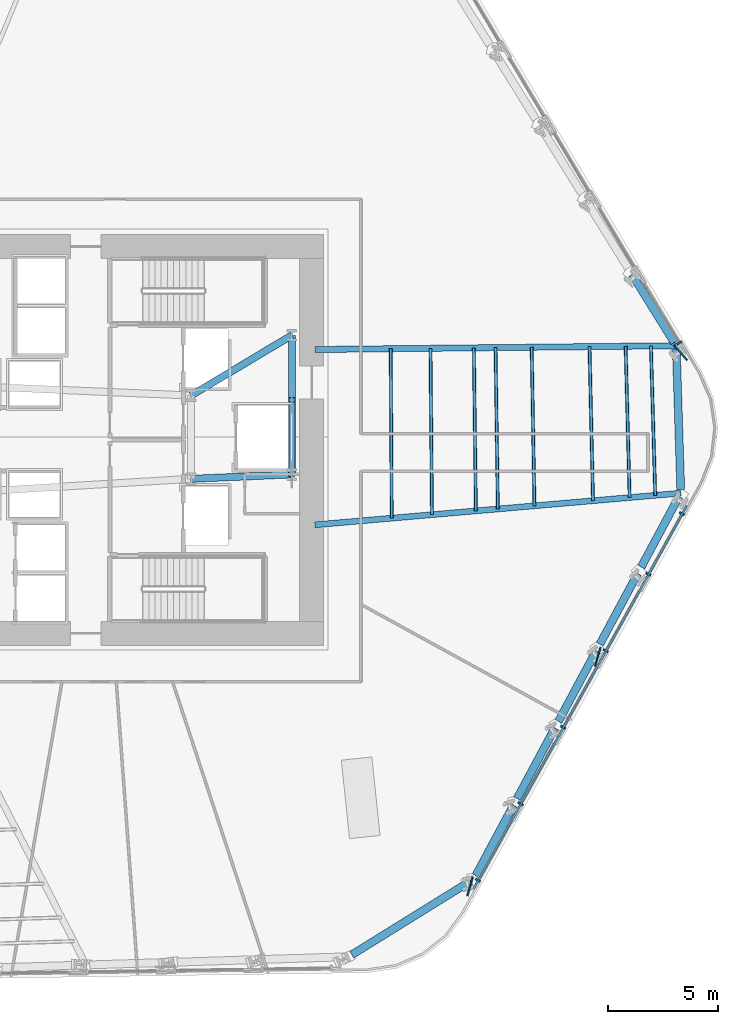
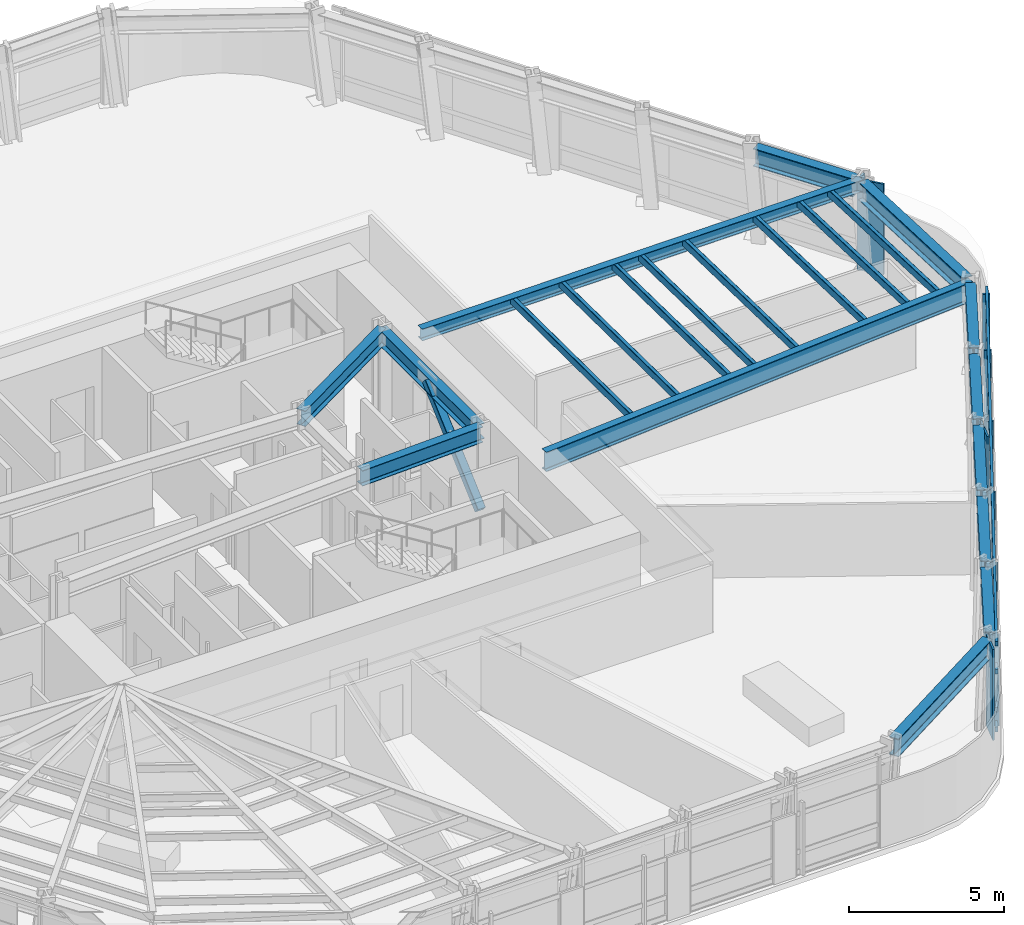
# One storey, part 4 of 15: 23 members, 13 beams, 2 elements without a shape of their own.
"""IFC4 building model written with IfcOpenShell, lengths in metres."""

import ifcopenshell
import ifcopenshell.guid

model = None  # the IFC model being written
_history = None  # IfcOwnerHistory: only IFC2X3 demands one
_inside = {}  # id of a spatial element -> (the spatial element, [elements in it])
_under = {}  # id of a project, library or spatial element -> (it, [spatial elements below it])
_declared = {}  # id of a project -> (the project, [libraries it declares])
_typed = {}  # id of a type object -> (the type object, [elements of that type])
_made_of = {}  # id of a material, layer set ... -> (it, [elements and type objects made of it])


def new_model(schema):
    """Start an empty IFC model of exactly this schema.

    Asked for "IFC4X3", IfcOpenShell would pick the latest addendum, in which some entities
    have other attributes; the version numbers below select the first issue.
    IFC2X3 requires an IfcOwnerHistory on every rooted entity: one is made here for all.
    """
    global model, _history
    if schema == "IFC4X3":
        model = ifcopenshell.file(schema_version=(4, 3, 0, 0))
    else:
        model = ifcopenshell.file(schema=schema)
    _inside.clear()
    _under.clear()
    _declared.clear()
    _typed.clear()
    _made_of.clear()
    _history = None
    if model.schema == "IFC2X3":
        org = make("IfcOrganization", Name="unknown")
        user = make(
            "IfcPersonAndOrganization",
            ThePerson=make("IfcPerson", FamilyName="unknown"),
            TheOrganization=org,
        )
        app = make(
            "IfcApplication",
            ApplicationDeveloper=org,
            Version="unknown",
            ApplicationFullName="unknown",
            ApplicationIdentifier="unknown",
        )
        _history = make(
            "IfcOwnerHistory",
            OwningUser=user,
            OwningApplication=app,
            ChangeAction="ADDED",
            CreationDate=0,
        )
    return model


def make(cls, **values):
    """One entity of the class cls with the attributes given. An attribute that is None is left unset."""
    return model.create_entity(
        cls, **{name: value for name, value in values.items() if value is not None}
    )


def rooted(cls, **values):
    """An entity with a GlobalId (a new one), such as an element, a storey or a relation."""
    return make(cls, GlobalId=ifcopenshell.guid.new(), OwnerHistory=_history, **values)


def si_unit(unit_type, name, prefix=None):
    """IfcSIUnit, for example si_unit("LENGTHUNIT", "METRE", prefix="MILLI")."""
    return make("IfcSIUnit", UnitType=unit_type, Prefix=prefix, Name=name)


def assignment(units):
    """IfcUnitAssignment: the units of a project."""
    return None if units is None else make("IfcUnitAssignment", Units=units)


def point(xyz):
    """IfcCartesianPoint."""
    return None if xyz is None else make("IfcCartesianPoint", Coordinates=xyz)


def direction(xyz):
    """IfcDirection."""
    return None if xyz is None else make("IfcDirection", DirectionRatios=xyz)


def frame(location, z_axis=None, x_axis=None):
    """IfcAxis2Placement3D, a coordinate frame: its origin and axes. An axis left out is left unset."""
    return make(
        "IfcAxis2Placement3D",
        Location=point(location),
        Axis=direction(z_axis),
        RefDirection=direction(x_axis),
    )


def frame_2d(location, x_axis=None):
    """IfcAxis2Placement2D, a coordinate frame in the plane: its origin and x axis."""
    return make(
        "IfcAxis2Placement2D", Location=point(location), RefDirection=direction(x_axis)
    )


def origin():
    """The frame at (0, 0, 0) with its axes left unset."""
    return frame((0.0, 0.0, 0.0))


def origin_2d():
    """The frame at (0, 0) in the plane with its x axis left unset."""
    return frame_2d((0.0, 0.0))


def place(relative_to, where):
    """IfcLocalPlacement: puts the frame where relative to a parent placement (None: the world)."""
    return make(
        "IfcLocalPlacement", PlacementRelTo=relative_to, RelativePlacement=where
    )


def context(
    kind, dimensions, precision=None, world=None, true_north=None, identifier=None
):
    """IfcGeometricRepresentationContext, for example the 3D "Model" context."""
    return make(
        "IfcGeometricRepresentationContext",
        ContextIdentifier=identifier,
        ContextType=kind,
        CoordinateSpaceDimension=dimensions,
        Precision=precision,
        WorldCoordinateSystem=world,
        TrueNorth=true_north,
    )


def subcontext(parent, identifier, kind, view, scale=None):
    """IfcGeometricRepresentationSubContext, for example "Body" below "Model"."""
    return make(
        "IfcGeometricRepresentationSubContext",
        ContextIdentifier=identifier,
        ContextType=kind,
        ParentContext=parent,
        TargetScale=scale,
        TargetView=view,
    )


def project(units=None, contexts=None):
    """IfcProject with its units and contexts."""
    return rooted(
        "IfcProject",
        Name="project",
        RepresentationContexts=contexts,
        UnitsInContext=assignment(units),
    )


def spatial(cls, under=None, at=None, **own):
    """A site, building, storey or space (cls), placed at a placement, below another one or the project."""
    s = rooted(cls, ObjectPlacement=at, **own)
    if under is not None:
        _under.setdefault(under.id(), (under, []))[1].append(s)
    return s


def profile(cls, at=None, kind="AREA", **sizes):
    """A parametric profile (cls). Its sizes go by their IFC names, for example OverallWidth=200.0."""
    return make(cls, ProfileType=kind, Position=at, **sizes)


def rectangle(**sizes):
    """IfcRectangleProfileDef."""
    return profile("IfcRectangleProfileDef", **sizes)


def hollow_rectangle(**sizes):
    """IfcRectangleHollowProfileDef."""
    return profile("IfcRectangleHollowProfileDef", **sizes)


def i_section(**sizes):
    """IfcIShapeProfileDef."""
    return profile("IfcIShapeProfileDef", **sizes)


def extrude(swept, where, along, depth):
    """IfcExtrudedAreaSolid: the profile swept, set in the frame where, extruded along a direction by depth."""
    return make(
        "IfcExtrudedAreaSolid",
        SweptArea=swept,
        Position=where,
        ExtrudedDirection=direction(along),
        Depth=depth,
    )


def shape(context_of_items, identifier, shape_type, items):
    """IfcShapeRepresentation: the items that make up one representation, for example the "Body"."""
    return make(
        "IfcShapeRepresentation",
        ContextOfItems=context_of_items,
        RepresentationIdentifier=identifier,
        RepresentationType=shape_type,
        Items=items,
    )


def material(Name=None, Category=None):
    """IfcMaterial."""
    return make("IfcMaterial", Name=Name, Category=Category)


def layer(
    of_material, thickness, ventilated=None, Name=None, Category=None, Priority=None
):
    """IfcMaterialLayer: one layer of a wall or slab, of a material (None: an air gap)."""
    return make(
        "IfcMaterialLayer",
        Material=of_material,
        LayerThickness=thickness,
        IsVentilated=ventilated,
        Name=Name,
        Category=Category,
        Priority=Priority,
    )


def layer_set(layers, Name=None):
    """IfcMaterialLayerSet."""
    return make("IfcMaterialLayerSet", MaterialLayers=layers, LayerSetName=Name)


def material_profile(
    of_material, cross_section, Name=None, Category=None, Priority=None
):
    """IfcMaterialProfile: a cross section and its material."""
    return make(
        "IfcMaterialProfile",
        Name=Name,
        Material=of_material,
        Profile=cross_section,
        Priority=Priority,
        Category=Category,
    )


def profile_set(profiles, Name=None, composite=None):
    """IfcMaterialProfileSet."""
    return make(
        "IfcMaterialProfileSet",
        Name=Name,
        MaterialProfiles=profiles,
        CompositeProfile=composite,
    )


def made_of(thing, what):
    """Note that an element or type object is made of a material, layer set ...; save() writes the relation."""
    if what is not None:
        _made_of.setdefault(what.id(), (what, []))[1].append(thing)
    return thing


def type_object(cls, material=None, **own):
    """A type object (cls), such as IfcWallType, which elements share."""
    return made_of(rooted(cls, **own), material)


def element(
    cls,
    number,
    at=None,
    inside=None,
    cuts=None,
    type_object=None,
    material=None,
    context=None,
    identifier="Body",
    shape_type=None,
    held_by="IfcProductDefinitionShape",
    body=None,
    shapes=None,
    **own,
):
    """One element of the class cls, such as IfcWall. Its Tag is "e" and its number.

    at: its placement. inside: the storey or other place that contains it. cuts: it is an
    opening in that element (IfcRelVoidsElement). A single representation is given by context,
    identifier, shape_type and body (its items); several are given by shapes. held_by: the class
    of the entity that holds the representations. save() writes the other relations.
    """
    e = rooted(cls, Tag="e%d" % number, ObjectPlacement=at, **own)
    if body is not None:
        shapes = [shape(context, identifier, shape_type, body)]
    if shapes is not None:
        e.Representation = make(held_by, Representations=shapes)
    if inside is not None:
        _inside.setdefault(inside.id(), (inside, []))[1].append(e)
    if cuts is not None:
        rooted(
            "IfcRelVoidsElement", RelatingBuildingElement=cuts, RelatedOpeningElement=e
        )
    if type_object is not None:
        _typed.setdefault(type_object.id(), (type_object, []))[1].append(e)
    return made_of(e, material)


def aggregate(whole, parts):
    """IfcRelAggregates: a whole, such as a stair, and the parts it consists of."""
    return rooted("IfcRelAggregates", RelatingObject=whole, RelatedObjects=parts)


def save(model, path):
    """Write the relations noted so far, then the file.

    IfcRelAggregates (storeys below a building ...), IfcRelContainedInSpatialStructure (elements
    in a storey), IfcRelDefinesByType, IfcRelAssociatesMaterial and IfcRelDeclares: one each for
    every whole, place, type object, material and project.
    """
    for whole, parts in _under.values():
        aggregate(whole, parts)
    for where, things in _inside.values():
        rooted(
            "IfcRelContainedInSpatialStructure",
            RelatedElements=things,
            RelatingStructure=where,
        )
    for kind, things in _typed.values():
        rooted("IfcRelDefinesByType", RelatedObjects=things, RelatingType=kind)
    for what, things in _made_of.values():
        rooted("IfcRelAssociatesMaterial", RelatedObjects=things, RelatingMaterial=what)
    for by, libraries in _declared.values():
        rooted("IfcRelDeclares", RelatingContext=by, RelatedDefinitions=libraries)
    model.write(path)


model = new_model("IFC4")

# Units and contexts
model_context = context("Model", 3, precision=1e-05, world=origin(), true_north=direction((0.0, 1.0)))
body_context = subcontext(model_context, "Body", "Model", "MODEL_VIEW")
ifc_project = project(units=[si_unit("LENGTHUNIT", "METRE"), si_unit("AREAUNIT", "SQUARE_METRE"), si_unit("VOLUMEUNIT", "CUBIC_METRE"), si_unit("PLANEANGLEUNIT", "RADIAN"), si_unit("MASSUNIT", "GRAM", prefix="KILO")], contexts=[model_context])

# Site, building, storey
site_placement = place(None, origin())
site = spatial("IfcSite", under=ifc_project, at=site_placement, CompositionType="ELEMENT")
building_placement = place(site_placement, origin())
building = spatial("IfcBuilding", under=site, at=building_placement, Name="Valkerne Bourse Tower", CompositionType="ELEMENT")
storey_placement = place(building_placement, frame((0.0, 0.0, 27.800048828125)))
storey = spatial("IfcBuildingStorey", under=building, at=storey_placement, Name="L06", CompositionType="ELEMENT", Elevation=27.800048828125)

# Beams
ifc_material_1 = material(Name="Steel ASTM A992", Category="steel")
ifc_material_profile_1 = material_profile(ifc_material_1, i_section(OverallWidth=0.279296875, OverallDepth=0.46240234375, WebThickness=0.0107421875, FlangeThickness=0.017333984375, FilletRadius=0.017822265625, at=origin_2d()), Name="W18X76")
ifc_profile_set_1 = profile_set([ifc_material_profile_1], Name="Steel ASTM A992")
beam_type_1 = type_object("IfcBeamType", Name="BM-W18X76", PredefinedType="BEAM", material=ifc_profile_set_1)
beam_1_placement = place(storey_placement, frame((72.489013671875, 31.173583984375, 3.3486328125), z_axis=(-0.999944593099, -0.010526667639, 0.0), x_axis=(0.010526667639, -0.999944593099, 0.0)))
element("IfcBeam", 1, at=beam_1_placement, inside=storey, type_object=beam_type_1, Name="L06 Radial Composite Floor Beam 00", PredefinedType="BEAM", context=body_context, shape_type="SweptSolid", body=[
    extrude(i_section(OverallWidth=0.279296875, OverallDepth=0.46240234375, WebThickness=0.0107421875, FlangeThickness=0.017333984375, FilletRadius=0.017822265625, at=origin_2d()), origin(), (0.0, 0.0, 1.0), 16.489990234375),
])
ifc_material_profile_2 = material_profile(ifc_material_1, i_section(OverallWidth=0.3251953125, OverallDepth=0.612060546875, WebThickness=0.0126953125, FlangeThickness=0.01904296875, FilletRadius=0.020263671875, at=origin_2d()), Name="W24X104")
ifc_profile_set_2 = profile_set([ifc_material_profile_2], Name="Steel ASTM A992")
beam_type_2 = type_object("IfcBeamType", Name="BM-W24X104", PredefinedType="BEAM", material=ifc_profile_set_2)
beam_2_placement = place(storey_placement, frame((50.35009765625, 25.10009765625, 3.27392578125), z_axis=(0.999056558506, 0.043428019819, 0.0), x_axis=(-0.043428019819, 0.999056558506, 0.0)))
element("IfcBeam", 2, at=beam_2_placement, inside=storey, type_object=beam_type_2, Name="L06 Core Frame Girder CG-SE", PredefinedType="BEAM", context=body_context, shape_type="SweptSolid", body=[
    extrude(i_section(OverallWidth=0.3251953125, OverallDepth=0.612060546875, WebThickness=0.0126953125, FlangeThickness=0.01904296875, FilletRadius=0.020263671875, at=origin_2d()), origin(), (0.0, 0.0, 1.0), 4.604248046875),
])
beam_3_placement = place(storey_placement, frame((50.35009765625, 28.89990234375, 3.27392578125), z_axis=(0.858307823492, 0.513135148019, 0.0), x_axis=(-0.513135148019, 0.858307823492, 0.0)))
element("IfcBeam", 3, at=beam_3_placement, inside=storey, type_object=beam_type_2, Name="L06 Core Frame Girder CG-NE", PredefinedType="BEAM", context=body_context, shape_type="SweptSolid", body=[
    extrude(i_section(OverallWidth=0.3251953125, OverallDepth=0.612060546875, WebThickness=0.0126953125, FlangeThickness=0.01904296875, FilletRadius=0.020263671875, at=origin_2d()), origin(), (0.0, 0.0, 1.0), 5.359130859375),
])
beam_4_placement = place(storey_placement, frame((54.949951171875, 25.300048828125, 3.27392578125), z_axis=(0.0, 1.0, 0.0), x_axis=(-1.0, 0.0, 0.0)))
element("IfcBeam", 4, at=beam_4_placement, inside=storey, type_object=beam_type_2, Name="L06 Core Frame Girder CG-EE", PredefinedType="BEAM", context=body_context, shape_type="SweptSolid", body=[
    extrude(i_section(OverallWidth=0.3251953125, OverallDepth=0.612060546875, WebThickness=0.0126953125, FlangeThickness=0.01904296875, FilletRadius=0.020263671875, at=origin_2d()), origin(), (0.0, 0.0, 1.0), 6.349853515625),
])
ifc_material_profile_3 = material_profile(ifc_material_1, i_section(OverallWidth=0.358154296875, OverallDepth=0.7060546875, WebThickness=0.018310546875, FlangeThickness=0.0302734375, FilletRadius=0.02294921875, at=origin_2d()), Name="W27X178")
ifc_profile_set_3 = profile_set([ifc_material_profile_3], Name="Steel ASTM A992")
beam_type_3 = type_object("IfcBeamType", Name="BM-W27X178", PredefinedType="SPANDREL", material=ifc_profile_set_3)
beam_5_placement = place(storey_placement, frame((72.3994140625, 31.318115234375, 3.226806640625), z_axis=(-0.526952210347, 0.849894915864, 0.0), x_axis=(-0.849894915864, -0.526952210347, 0.0)))
element("IfcBeam", 5, at=beam_5_placement, inside=storey, type_object=beam_type_3, Name="L06 Hexagonal Spandrel Ring Beam 00", PredefinedType="SPANDREL", context=body_context, shape_type="SweptSolid", body=[
    extrude(i_section(OverallWidth=0.358154296875, OverallDepth=0.7060546875, WebThickness=0.018310546875, FlangeThickness=0.0302734375, FilletRadius=0.02294921875, at=origin_2d()), origin(), (0.0, 0.0, 1.0), 3.656005859375),
])
beam_6_placement = place(storey_placement, frame((57.684326171875, 3.383056640625, 3.226806640625), z_axis=(0.849903376231, 0.526938564798, 0.0), x_axis=(-0.526938564798, 0.849903376231, 0.0)))
element("IfcBeam", 6, at=beam_6_placement, inside=storey, type_object=beam_type_3, Name="L06 Hexagonal Spandrel Ring Beam 29", PredefinedType="SPANDREL", context=body_context, shape_type="SweptSolid", body=[
    extrude(i_section(OverallWidth=0.358154296875, OverallDepth=0.7060546875, WebThickness=0.018310546875, FlangeThickness=0.0302734375, FilletRadius=0.02294921875, at=origin_2d()), origin(), (0.0, 0.0, 1.0), 6.38916015625),
])
beam_7_placement = place(storey_placement, frame((63.339111328125, 6.989013671875, 3.226806640625), z_axis=(0.472566038193, 0.88129526241, 0.0), x_axis=(-0.88129526241, 0.472566038193, 0.0)))
element("IfcBeam", 7, at=beam_7_placement, inside=storey, type_object=beam_type_3, Name="L06 Hexagonal Spandrel Ring Beam 30", PredefinedType="SPANDREL", context=body_context, shape_type="SweptSolid", body=[
    extrude(i_section(OverallWidth=0.358154296875, OverallDepth=0.7060546875, WebThickness=0.018310546875, FlangeThickness=0.0302734375, FilletRadius=0.02294921875, at=origin_2d()), origin(), (0.0, 0.0, 1.0), 3.65625),
])
beam_8_placement = place(storey_placement, frame((65.2275390625, 10.5107421875, 3.226806640625), z_axis=(0.472514172912, 0.881323071522, 0.0), x_axis=(-0.881323071522, 0.472514172912, 0.0)))
element("IfcBeam", 8, at=beam_8_placement, inside=storey, type_object=beam_type_3, Name="L06 Hexagonal Spandrel Ring Beam 31", PredefinedType="SPANDREL", context=body_context, shape_type="SweptSolid", body=[
    extrude(i_section(OverallWidth=0.358154296875, OverallDepth=0.7060546875, WebThickness=0.018310546875, FlangeThickness=0.0302734375, FilletRadius=0.02294921875, at=origin_2d()), origin(), (0.0, 0.0, 1.0), 3.656005859375),
])
beam_9_placement = place(storey_placement, frame((67.11572265625, 14.032470703125, 3.226806640625), z_axis=(0.472566038193, 0.88129526241, 0.0), x_axis=(-0.88129526241, 0.472566038193, 0.0)))
element("IfcBeam", 9, at=beam_9_placement, inside=storey, type_object=beam_type_3, Name="L06 Hexagonal Spandrel Ring Beam 32", PredefinedType="SPANDREL", context=body_context, shape_type="SweptSolid", body=[
    extrude(i_section(OverallWidth=0.358154296875, OverallDepth=0.7060546875, WebThickness=0.018310546875, FlangeThickness=0.0302734375, FilletRadius=0.02294921875, at=origin_2d()), origin(), (0.0, 0.0, 1.0), 3.65625),
])
beam_10_placement = place(storey_placement, frame((69.004150390625, 17.55419921875, 3.226806640625), z_axis=(0.472514172912, 0.881323071522, 0.0), x_axis=(-0.881323071522, 0.472514172912, 0.0)))
element("IfcBeam", 10, at=beam_10_placement, inside=storey, type_object=beam_type_3, Name="L06 Hexagonal Spandrel Ring Beam 33", PredefinedType="SPANDREL", context=body_context, shape_type="SweptSolid", body=[
    extrude(i_section(OverallWidth=0.358154296875, OverallDepth=0.7060546875, WebThickness=0.018310546875, FlangeThickness=0.0302734375, FilletRadius=0.02294921875, at=origin_2d()), origin(), (0.0, 0.0, 1.0), 3.656005859375),
])
beam_11_placement = place(storey_placement, frame((70.892333984375, 21.075927734375, 3.226806640625), z_axis=(0.472566038193, 0.88129526241, 0.0), x_axis=(-0.88129526241, 0.472566038193, 0.0)))
element("IfcBeam", 11, at=beam_11_placement, inside=storey, type_object=beam_type_3, Name="L06 Hexagonal Spandrel Ring Beam 34", PredefinedType="SPANDREL", context=body_context, shape_type="SweptSolid", body=[
    extrude(i_section(OverallWidth=0.358154296875, OverallDepth=0.7060546875, WebThickness=0.018310546875, FlangeThickness=0.0302734375, FilletRadius=0.02294921875, at=origin_2d()), origin(), (0.0, 0.0, 1.0), 3.65625),
])
beam_12_placement = place(storey_placement, frame((72.695068359375, 24.61767578125, 3.226806640625), z_axis=(-0.031410116192, 0.999506580569, 0.0), x_axis=(-0.999506580569, -0.031410116192, 0.0)))
element("IfcBeam", 12, at=beam_12_placement, inside=storey, type_object=beam_type_3, Name="L06 Hexagonal Spandrel Ring Beam 35", PredefinedType="SPANDREL", context=body_context, shape_type="SweptSolid", body=[
    extrude(i_section(OverallWidth=0.358154296875, OverallDepth=0.7060546875, WebThickness=0.018310546875, FlangeThickness=0.0302734375, FilletRadius=0.02294921875, at=origin_2d()), origin(), (0.0, 0.0, 1.0), 6.38916015625),
])
ifc_material_profile_4 = material_profile(ifc_material_1, i_section(OverallWidth=0.26806640625, OverallDepth=0.76953125, WebThickness=0.015625, FlangeThickness=0.025390625, FilletRadius=0.025390625, at=origin_2d()), Name="W30X132")
ifc_profile_set_4 = profile_set([ifc_material_profile_4], Name="Steel ASTM A992")
beam_type_4 = type_object("IfcBeamType", Name="BM-W30X132", PredefinedType="BEAM", material=ifc_profile_set_4)
beam_13_placement = place(storey_placement, frame((72.700439453125, 24.44775390625, 3.195068359375), z_axis=(-0.996263506174, -0.086365654435, 0.0), x_axis=(0.086365654435, -0.996263506174, 0.0)))
element("IfcBeam", 13, at=beam_13_placement, inside=storey, type_object=beam_type_4, Name="L06 Radial Composite Floor Beam 35", PredefinedType="BEAM", context=body_context, shape_type="SweptSolid", body=[
    extrude(i_section(OverallWidth=0.26806640625, OverallDepth=0.76953125, WebThickness=0.015625, FlangeThickness=0.025390625, FilletRadius=0.025390625, at=origin_2d()), origin(), (0.0, 0.0, 1.0), 16.76318359375),
])

# Curtain wall, member
ifc_material_2 = material(Name="Aluminium AA 6063-T6", Category="aluminium")
ifc_layer = layer(ifc_material_2, 0.22509765625)
ifc_layer_set = layer_set([ifc_layer], Name="Aluminium AA 6063-T6")
curtain_wall_type = type_object("IfcCurtainWallType", Name="CW-01", PredefinedType="NOTDEFINED", material=ifc_layer_set)
curtain_wall_1_placement = place(storey_placement, origin())
curtain_wall_1 = element("IfcCurtainWall", 14, at=curtain_wall_1_placement, inside=storey, type_object=curtain_wall_type, Name="L06 Hexagonal Stick Curtain Wall Face 1", PredefinedType="NOTDEFINED")
ifc_material_profile_5 = material_profile(ifc_material_2, rectangle(XDim=0.090087890625, YDim=0.239990234375, at=origin_2d()), Name="CWM-90X240")
ifc_profile_set_5 = profile_set([ifc_material_profile_5], Name="Aluminium AA 6063-T6")
member_type_1 = type_object("IfcMemberType", Name="CW-MUL-240X90", PredefinedType="MULLION", material=ifc_profile_set_5)
member_1_placement = place(storey_placement, frame((72.627685546875, 31.304443359375, 0.0), z_axis=(0.0, 0.0, 1.0), x_axis=(-0.513542271598, 0.858064295541, 0.0)))
member_1 = element("IfcMember", 15, at=member_1_placement, type_object=member_type_1, Name="CW-L06-F1 Jamb Mullion 00A", PredefinedType="MULLION", context=body_context, shape_type="SweptSolid", body=[
    extrude(rectangle(XDim=0.090087890625, YDim=0.239990234375, at=origin_2d()), origin(), (0.0, 0.0, 1.0), 3.579833984375),
])
aggregate(curtain_wall_1, [member_1])

# Curtain wall, members
curtain_wall_2_placement = place(storey_placement, origin())
curtain_wall_2 = element("IfcCurtainWall", 16, at=curtain_wall_2_placement, inside=storey, type_object=curtain_wall_type, Name="L06 Hexagonal Stick Curtain Wall Face 6", PredefinedType="NOTDEFINED")
member_2_placement = place(storey_placement, frame((63.44140625, 6.784912109375, 0.0), z_axis=(0.0, 0.0, 1.0), x_axis=(0.486335451261, 0.873772183608, 0.0)))
member_2 = element("IfcMember", 17, at=member_2_placement, type_object=member_type_1, Name="CW-L06-F6 Jamb Mullion 00A", PredefinedType="MULLION", context=body_context, shape_type="SweptSolid", body=[
    extrude(rectangle(XDim=0.090087890625, YDim=0.239990234375, at=origin_2d()), origin(), (0.0, 0.0, 1.0), 3.579833984375),
])
member_3_placement = place(storey_placement, frame((65.385009765625, 10.276611328125, 0.0), z_axis=(0.0, 0.0, 1.0), x_axis=(0.486335451261, 0.873772183608, 0.0)))
member_3 = element("IfcMember", 18, at=member_3_placement, type_object=member_type_1, Name="CW-L06-F6 Jamb Mullion 01A", PredefinedType="MULLION", context=body_context, shape_type="SweptSolid", body=[
    extrude(rectangle(XDim=0.090087890625, YDim=0.239990234375, at=origin_2d()), origin(), (0.0, 0.0, 1.0), 3.579833984375),
])
member_4_placement = place(storey_placement, frame((67.328369140625, 13.76806640625, 0.0), z_axis=(0.0, 0.0, 1.0), x_axis=(0.486335451261, 0.873772183608, 0.0)))
member_4 = element("IfcMember", 19, at=member_4_placement, type_object=member_type_1, Name="CW-L06-F6 Jamb Mullion 02A", PredefinedType="MULLION", context=body_context, shape_type="SweptSolid", body=[
    extrude(rectangle(XDim=0.090087890625, YDim=0.239990234375, at=origin_2d()), origin(), (0.0, 0.0, 1.0), 3.579833984375),
])
member_5_placement = place(storey_placement, frame((69.271728515625, 17.259765625, 0.0), z_axis=(0.0, 0.0, 1.0), x_axis=(0.486335451261, 0.873772183608, 0.0)))
member_5 = element("IfcMember", 20, at=member_5_placement, type_object=member_type_1, Name="CW-L06-F6 Jamb Mullion 03A", PredefinedType="MULLION", context=body_context, shape_type="SweptSolid", body=[
    extrude(rectangle(XDim=0.090087890625, YDim=0.239990234375, at=origin_2d()), origin(), (0.0, 0.0, 1.0), 3.579833984375),
])
member_6_placement = place(storey_placement, frame((71.215087890625, 20.751220703125, 0.0), z_axis=(0.0, 0.0, 1.0), x_axis=(0.486335451261, 0.873772183608, 0.0)))
member_6 = element("IfcMember", 21, at=member_6_placement, type_object=member_type_1, Name="CW-L06-F6 Jamb Mullion 04A", PredefinedType="MULLION", context=body_context, shape_type="SweptSolid", body=[
    extrude(rectangle(XDim=0.090087890625, YDim=0.239990234375, at=origin_2d()), origin(), (0.0, 0.0, 1.0), 3.579833984375),
])
member_7_placement = place(storey_placement, frame((72.75, 23.509033203125, 0.0), z_axis=(0.0, 0.0, 1.0), x_axis=(0.486335451261, 0.873772183608, 0.0)))
member_7 = element("IfcMember", 22, at=member_7_placement, type_object=member_type_1, Name="CW-L06-F6 Jamb Mullion 04B", PredefinedType="MULLION", context=body_context, shape_type="SweptSolid", body=[
    extrude(rectangle(XDim=0.090087890625, YDim=0.239990234375, at=origin_2d()), origin(), (0.0, 0.0, 1.0), 3.579833984375),
])
ifc_material_profile_6 = material_profile(ifc_material_2, rectangle(XDim=0.090087890625, YDim=0.179931640625, at=origin_2d()), Name="CWT-90X180")
ifc_profile_set_6 = profile_set([ifc_material_profile_6], Name="Aluminium AA 6063-T6")
member_type_2 = type_object("IfcMemberType", Name="CW-TRN-180X90", PredefinedType="USERDEFINED", material=ifc_profile_set_6)
member_8_placement = place(storey_placement, frame((63.2548828125, 6.408203125, 0.119873046875), z_axis=(0.486327523225, 0.87377659625, 0.0), x_axis=(-0.87377659625, 0.486327523225, 0.0)))
member_8 = element("IfcMember", 23, at=member_8_placement, type_object=member_type_2, Name="CW-L06-F6 Continuous Face Transom 1", ObjectType="TRANSOM", PredefinedType="USERDEFINED", context=body_context, shape_type="SweptSolid", body=[
    extrude(rectangle(XDim=0.090087890625, YDim=0.179931640625, at=origin_2d()), origin(), (0.0, 0.0, 1.0), 19.97998046875),
])
member_9_placement = place(storey_placement, frame((63.2548828125, 6.408203125, 0.89990234375), z_axis=(0.486327523225, 0.87377659625, 0.0), x_axis=(-0.87377659625, 0.486327523225, 0.0)))
member_9 = element("IfcMember", 24, at=member_9_placement, type_object=member_type_2, Name="CW-L06-F6 Continuous Face Transom 2", ObjectType="TRANSOM", PredefinedType="USERDEFINED", context=body_context, shape_type="SweptSolid", body=[
    extrude(rectangle(XDim=0.090087890625, YDim=0.179931640625, at=origin_2d()), origin(), (0.0, 0.0, 1.0), 19.97998046875),
])
member_10_placement = place(storey_placement, frame((63.2548828125, 6.408203125, 2.39990234375), z_axis=(0.486327523225, 0.87377659625, 0.0), x_axis=(-0.87377659625, 0.486327523225, 0.0)))
member_10 = element("IfcMember", 25, at=member_10_placement, type_object=member_type_2, Name="CW-L06-F6 Continuous Face Transom 3", ObjectType="TRANSOM", PredefinedType="USERDEFINED", context=body_context, shape_type="SweptSolid", body=[
    extrude(rectangle(XDim=0.090087890625, YDim=0.179931640625, at=origin_2d()), origin(), (0.0, 0.0, 1.0), 19.97998046875),
])
member_11_placement = place(storey_placement, frame((63.2548828125, 6.408203125, 3.5), z_axis=(0.486327523225, 0.87377659625, 0.0), x_axis=(-0.87377659625, 0.486327523225, 0.0)))
member_11 = element("IfcMember", 26, at=member_11_placement, type_object=member_type_2, Name="CW-L06-F6 Continuous Face Transom 4", ObjectType="TRANSOM", PredefinedType="USERDEFINED", context=body_context, shape_type="SweptSolid", body=[
    extrude(rectangle(XDim=0.090087890625, YDim=0.179931640625, at=origin_2d()), origin(), (0.0, 0.0, 1.0), 19.97998046875),
])
aggregate(curtain_wall_2, [member_8, member_9, member_10, member_11, member_2, member_3, member_4, member_5, member_6, member_7])

# Members
ifc_material_3 = material(Name="Bronze Anodised Aluminium AA 6063-T6", Category="aluminium")
ifc_material_profile_7 = material_profile(ifc_material_3, rectangle(XDim=0.070068359375, YDim=0.89990234375, at=origin_2d()), Name="FIN-70X900")
ifc_profile_set_7 = profile_set([ifc_material_profile_7], Name="Bronze Anodised Aluminium AA 6063-T6")
member_type_3 = type_object("IfcMemberType", Name="FIN-SOLAR-900", PredefinedType="USERDEFINED", material=ifc_profile_set_7)
for number, where, z_axis, x_axis, name in (
    (27, (72.688720703125, 30.851806640625, 0.00390625), (0.0, 0.0, 1.0), (0.747330114948, 0.664452932338, 0.0), "L06 Bronze Anodised Solar Fin F1-00"),
    (28, (63.080078125, 6.505615234375, 0.00390625), (0.0, 0.0, 1.0), (0.961488987746, -0.274843458067, 0.0), "L06 Bronze Anodised Solar Fin F6-00"),
    (29, (68.91015625, 16.980224609375, 0.00390625), (0.0, 0.0, 1.0), (0.961488987746, -0.274843458067, 0.0), "L06 Bronze Anodised Solar Fin F6-03"),
):
    element("IfcMember", number, at=place(storey_placement, frame(where, z_axis=z_axis, x_axis=x_axis)), inside=storey, type_object=member_type_3, Name=name, ObjectType="SOLAR_FIN", PredefinedType="USERDEFINED", context=body_context, shape_type="SweptSolid", body=[
        extrude(rectangle(XDim=0.070068359375, YDim=0.89990234375, at=origin_2d()), origin(), (0.0, 0.0, 1.0), 3.572021484375),
    ])
ifc_material_4 = material(Name="Steel ASTM A500 Grade C", Category="steel")
ifc_material_profile_8 = material_profile(ifc_material_4, hollow_rectangle(XDim=0.14990234375, YDim=0.300048828125, WallThickness=0.012451171875, OuterFilletRadius=0.02490234375, at=origin_2d()), Name="HSS300X150X12.5")
ifc_profile_set_8 = profile_set([ifc_material_profile_8], Name="Steel ASTM A500 Grade C")
member_type_4 = type_object("IfcMemberType", Name="MBR-HSS300X150X12.5", PredefinedType="PURLIN", material=ifc_profile_set_8)
member_12_placement = place(storey_placement, frame((61.343994140625, 23.46337890625, 3.419921875), z_axis=(-0.008875104668, 0.999960615483, 0.0), x_axis=(-0.999960615483, -0.008875104668, 0.0)))
element("IfcMember", 30, at=member_12_placement, inside=storey, type_object=member_type_4, Name="L06 Secondary Composite Floor Purlin I-35", PredefinedType="PURLIN", context=body_context, shape_type="SweptSolid", body=[
    extrude(hollow_rectangle(XDim=0.14990234375, YDim=0.300048828125, WallThickness=0.012451171875, OuterFilletRadius=0.02490234375, at=origin_2d()), origin(), (0.0, 0.0, 1.0), 7.59228515625),
])
member_13_placement = place(storey_placement, frame((63.34814453125, 23.636962890625, 3.419921875), z_axis=(-0.012502304484, 0.999921843137, 0.0), x_axis=(-0.999921843137, -0.012502304484, 0.0)))
element("IfcMember", 31, at=member_13_placement, inside=storey, type_object=member_type_4, Name="L06 Secondary Composite Floor Purlin K-35", PredefinedType="PURLIN", context=body_context, shape_type="SweptSolid", body=[
    extrude(hollow_rectangle(XDim=0.14990234375, YDim=0.300048828125, WallThickness=0.012451171875, OuterFilletRadius=0.02490234375, at=origin_2d()), origin(), (0.0, 0.0, 1.0), 7.43994140625),
])
member_14_placement = place(storey_placement, frame((64.35009765625, 23.723876953125, 3.419921875), z_axis=(-0.014322613087, 0.999897426116, 0.0), x_axis=(-0.999897426116, -0.014322613087, 0.0)))
element("IfcMember", 32, at=member_14_placement, inside=storey, type_object=member_type_4, Name="L06 Secondary Composite Floor Purlin M-35", PredefinedType="PURLIN", context=body_context, shape_type="SweptSolid", body=[
    extrude(hollow_rectangle(XDim=0.14990234375, YDim=0.300048828125, WallThickness=0.012451171875, OuterFilletRadius=0.02490234375, at=origin_2d()), origin(), (0.0, 0.0, 1.0), 7.36376953125),
])
member_15_placement = place(storey_placement, frame((68.6923828125, 24.100341796875, 3.419921875), z_axis=(-0.022840468823, 0.999739122463, 0.0), x_axis=(-0.999739122463, -0.022840468823, 0.0)))
element("IfcMember", 33, at=member_15_placement, inside=storey, type_object=member_type_4, Name="L06 Secondary Composite Floor Purlin O-35", PredefinedType="PURLIN", context=body_context, shape_type="SweptSolid", body=[
    extrude(hollow_rectangle(XDim=0.14990234375, YDim=0.300048828125, WallThickness=0.012451171875, OuterFilletRadius=0.02490234375, at=origin_2d()), origin(), (0.0, 0.0, 1.0), 7.033447265625),
])
member_16_placement = place(storey_placement, frame((66.020263671875, 23.86865234375, 3.419921875), z_axis=(-0.017509800006, 0.9998466917, 0.0), x_axis=(-0.9998466917, -0.017509800006, 0.0)))
element("IfcMember", 34, at=member_16_placement, inside=storey, type_object=member_type_4, Name="L06 Secondary Composite Floor Purlin Z-35", PredefinedType="PURLIN", context=body_context, shape_type="SweptSolid", body=[
    extrude(hollow_rectangle(XDim=0.14990234375, YDim=0.300048828125, WallThickness=0.012451171875, OuterFilletRadius=0.02490234375, at=origin_2d()), origin(), (0.0, 0.0, 1.0), 7.236572265625),
])
member_17_placement = place(storey_placement, frame((59.507080078125, 23.303955078125, 3.419921875), z_axis=(-0.005746305732, 0.999983489849, 0.0), x_axis=(-0.999983489849, -0.005746305732, 0.0)))
element("IfcMember", 35, at=member_17_placement, inside=storey, type_object=member_type_4, Name="L06 Secondary Composite Floor Purlin S-35", PredefinedType="PURLIN", context=body_context, shape_type="SweptSolid", body=[
    extrude(hollow_rectangle(XDim=0.14990234375, YDim=0.300048828125, WallThickness=0.012451171875, OuterFilletRadius=0.02490234375, at=origin_2d()), origin(), (0.0, 0.0, 1.0), 7.732666015625),
])
member_18_placement = place(storey_placement, frame((70.3623046875, 24.2451171875, 3.419921875), z_axis=(-0.026300174808, 0.999654090576, 0.0), x_axis=(-0.999654090576, -0.026300174808, 0.0)))
element("IfcMember", 36, at=member_18_placement, inside=storey, type_object=member_type_4, Name="L06 Secondary Composite Floor Purlin T-35", PredefinedType="PURLIN", context=body_context, shape_type="SweptSolid", body=[
    extrude(hollow_rectangle(XDim=0.14990234375, YDim=0.300048828125, WallThickness=0.012451171875, OuterFilletRadius=0.02490234375, at=origin_2d()), origin(), (0.0, 0.0, 1.0), 6.906494140625),
])
member_19_placement = place(storey_placement, frame((71.531494140625, 24.346435546875, 3.419921875), z_axis=(-0.028826591105, 0.999584427472, 0.0), x_axis=(-0.999584427472, -0.028826591105, 0.0)))
element("IfcMember", 37, at=member_19_placement, inside=storey, type_object=member_type_4, Name="L06 Secondary Composite Floor Purlin U-35", PredefinedType="PURLIN", context=body_context, shape_type="SweptSolid", body=[
    extrude(hollow_rectangle(XDim=0.14990234375, YDim=0.300048828125, WallThickness=0.012451171875, OuterFilletRadius=0.02490234375, at=origin_2d()), origin(), (0.0, 0.0, 1.0), 6.81787109375),
])
ifc_material_profile_9 = material_profile(ifc_material_4, hollow_rectangle(XDim=0.300048828125, YDim=0.300048828125, WallThickness=0.012451171875, OuterFilletRadius=0.02490234375, at=origin_2d()), Name="HSS300X300X12.5")
ifc_profile_set_9 = profile_set([ifc_material_profile_9], Name="Steel ASTM A500 Grade C")
member_type_5 = type_object("IfcMemberType", Name="MBR-HSS300X300X12.5", PredefinedType="STRUT", material=ifc_profile_set_9)
member_20_placement = place(storey_placement, frame((54.949951171875, 25.300048828125, 0.219970703125), z_axis=(0.0, 0.743941933778, 0.668244266094), x_axis=(-1.0, 0.0, 0.0)))
element("IfcMember", 38, at=member_20_placement, inside=storey, type_object=member_type_5, Name="L06 Core Service Pier Lateral Brace", PredefinedType="STRUT", context=body_context, shape_type="SweptSolid", body=[
    extrude(hollow_rectangle(XDim=0.300048828125, YDim=0.300048828125, WallThickness=0.012451171875, OuterFilletRadius=0.02490234375, at=origin_2d()), origin(), (0.0, 0.0, 1.0), 4.570068359375),
])

save(model, "model.ifc")
